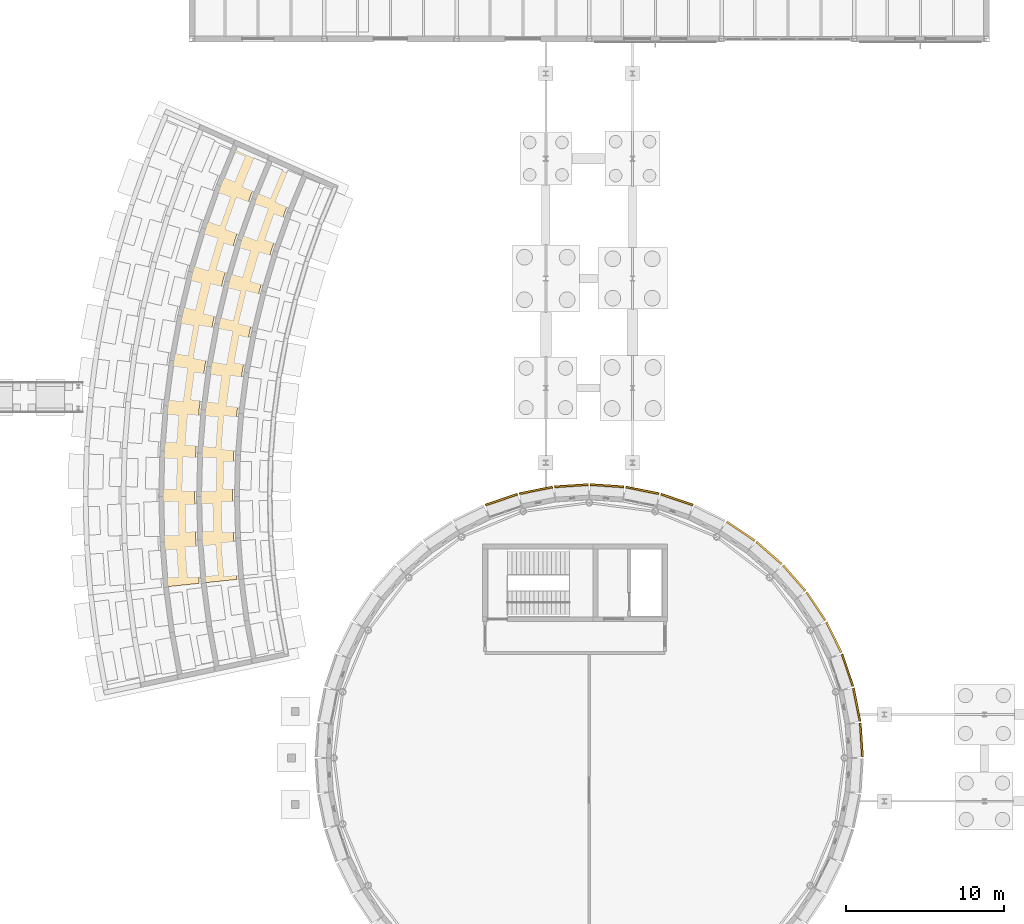
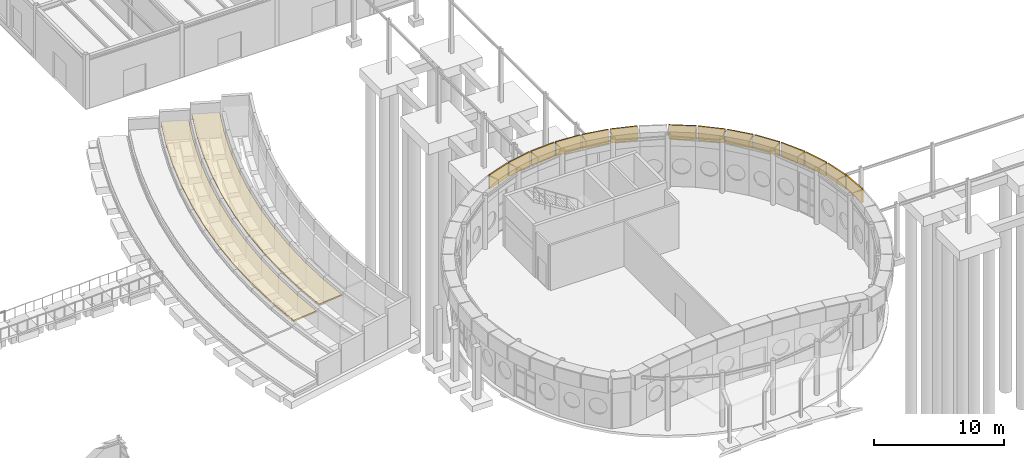
# One storey, part 99 of 109: 16 coverings.
"""IFC4 building model written with IfcOpenShell, lengths in metres."""

from ifc_helpers import new_model, si_unit, direction, frame, origin, place, context, subcontext, project, spatial, polyline, outline, extrude, material, layer, layer_set, type_object, element, save


model = new_model("IFC4")

# Units and contexts
model_context = context("Model", 3, precision=1e-05, world=origin(), true_north=direction((0.0, 1.0)))
body_context = subcontext(model_context, "Body", "Model", "MODEL_VIEW")
ifc_project = project(units=[si_unit("LENGTHUNIT", "METRE"), si_unit("AREAUNIT", "SQUARE_METRE"), si_unit("VOLUMEUNIT", "CUBIC_METRE"), si_unit("PLANEANGLEUNIT", "RADIAN"), si_unit("MASSUNIT", "GRAM", prefix="KILO")], contexts=[model_context])

# Site, building, storey
site_placement = place(None, origin())
site = spatial("IfcSite", under=ifc_project, at=site_placement, CompositionType="ELEMENT")
building_placement = place(site_placement, origin())
building = spatial("IfcBuilding", under=site, at=building_placement, Name="Montecoro Central Library", CompositionType="ELEMENT")
storey_placement = place(building_placement, origin())
storey = spatial("IfcBuildingStorey", under=building, at=storey_placement, Name="L00", CompositionType="ELEMENT", Elevation=0.0)

# Coverings
ifc_material_1 = material(Name="Botanical green planted garden soil COV-GRN-120")
ifc_layer_1 = layer(ifc_material_1, 0.1201171875)
ifc_layer_set_1 = layer_set([ifc_layer_1], Name="Botanical green planted garden soil COV-GRN-120")
covering_type_1 = type_object("IfcCoveringType", Name="COV-GRN-120", PredefinedType="FLOORING", material=ifc_layer_set_1)
covering_1_placement = place(storey_placement, frame((0.0, 0.0, 1.6201171875)))
element("IfcCovering", 1, at=covering_1_placement, inside=storey, type_object=covering_type_1, Name="Botanical Planted Terrace Bed 3", PredefinedType="FLOORING", context=body_context, shape_type="SweptSolid", body=[
    extrude(outline(polyline([(71.155029296875, 73.52490234375), (70.094970703125, 70.965087890625), (69.169921875, 68.35302734375), (68.383056640625, 65.697021484375), (67.736083984375, 63.0029296875), (67.23193359375, 60.279052734375), (66.8701171875, 57.531982421875), (66.653076171875, 54.77001953125), (66.580078125, 52.0), (66.653076171875, 49.22998046875), (66.8701171875, 46.468017578125), (64.721923828125, 46.242919921875), (64.4951171875, 49.116943359375), (64.419921875, 52.0), (64.4951171875, 54.883056640625), (64.721923828125, 57.757080078125), (65.097900390625, 60.615966796875), (65.6240234375, 63.451904296875), (66.297119140625, 66.256103515625), (67.115966796875, 69.02099609375), (68.077880859375, 71.739013671875), (69.181884765625, 74.403076171875), (71.155029296875, 73.52490234375)])), origin(), (0.0, 0.0, 1.0), 0.119873046875),
])
covering_2_placement = place(storey_placement, frame((0.0, 0.0, 2.159912109375)))
element("IfcCovering", 2, at=covering_2_placement, inside=storey, type_object=covering_type_1, Name="Botanical Planted Terrace Bed 4", PredefinedType="FLOORING", context=body_context, shape_type="SweptSolid", body=[
    extrude(outline(polyline([(73.347900390625, 72.548095703125), (72.3359375, 70.10498046875), (71.452880859375, 67.612060546875), (70.700927734375, 65.075927734375), (70.083984375, 62.50390625), (69.60205078125, 59.903076171875), (69.257080078125, 57.281005859375), (69.049072265625, 54.64404296875), (68.97998046875, 52.0), (69.049072265625, 49.35595703125), (69.257080078125, 46.718994140625), (67.10888671875, 46.492919921875), (66.89208984375, 49.242919921875), (66.820068359375, 52.0), (66.89208984375, 54.757080078125), (67.10888671875, 57.507080078125), (67.468994140625, 60.240966796875), (67.970947265625, 62.952880859375), (68.614990234375, 65.635009765625), (69.39794921875, 68.279052734375), (70.319091796875, 70.87890625), (71.3740234375, 73.427001953125), (73.347900390625, 72.548095703125)])), origin(), (0.0, 0.0, 1.0), 0.1201171875),
])
ifc_material_2 = material(Name="Bright white Roman travertine architrave stone", Category="masonry")
ifc_layer_2 = layer(ifc_material_2, 0.1201171875)
ifc_layer_set_2 = layer_set([ifc_layer_2], Name="Bright white Roman travertine architrave stone")
covering_type_2 = type_object("IfcCoveringType", Name="COV-TRV-BAND", PredefinedType="CLADDING", material=ifc_layer_set_2)
covering_3_placement = place(storey_placement, frame((0.0, 0.0, 3.800048828125)))
element("IfcCovering", 3, at=covering_3_placement, inside=storey, type_object=covering_type_2, Name="White Roman Travertine Entrance Notch Band Cladding", PredefinedType="CLADDING", context=body_context, shape_type="SweptSolid", body=[
    extrude(outline(polyline([(108.989990234375, 35.466064453125), (108.85009765625, 37.60400390625), (108.72998046875, 37.595947265625), (108.8701171875, 35.4580078125), (108.989990234375, 35.466064453125)])), origin(), (0.0, 0.0, 1.0), 1.300048828125),
])
covering_4_placement = place(storey_placement, frame((0.0, 0.0, 3.800048828125)))
element("IfcCovering", 4, at=covering_4_placement, inside=storey, type_object=covering_type_2, Name="White Roman Travertine Entrance Notch Band Cladding", PredefinedType="CLADDING", context=body_context, shape_type="SweptSolid", body=[
    extrude(outline(polyline([(108.8330078125, 37.735107421875), (108.4150390625, 39.8369140625), (108.297119140625, 39.81298828125), (108.715087890625, 37.7109375), (108.8330078125, 37.735107421875)])), origin(), (0.0, 0.0, 1.0), 1.300048828125),
])
covering_5_placement = place(storey_placement, frame((0.0, 0.0, 3.800048828125)))
element("IfcCovering", 5, at=covering_5_placement, inside=storey, type_object=covering_type_2, Name="White Roman Travertine Entrance Notch Band Cladding", PredefinedType="CLADDING", context=body_context, shape_type="SweptSolid", body=[
    extrude(outline(polyline([(108.3798828125, 39.966064453125), (107.69091796875, 41.993896484375), (107.577880859375, 41.9560546875), (108.26708984375, 39.927978515625), (108.3798828125, 39.966064453125)])), origin(), (0.0, 0.0, 1.0), 1.300048828125),
])
covering_6_placement = place(storey_placement, frame((0.0, 0.0, 3.800048828125)))
element("IfcCovering", 6, at=covering_6_placement, inside=storey, type_object=covering_type_2, Name="White Roman Travertine Entrance Notch Band Cladding", PredefinedType="CLADDING", context=body_context, shape_type="SweptSolid", body=[
    extrude(outline(polyline([(107.64208984375, 42.114990234375), (106.694091796875, 44.0380859375), (106.5859375, 43.985107421875), (107.533935546875, 42.06201171875), (107.64208984375, 42.114990234375)])), origin(), (0.0, 0.0, 1.0), 1.300048828125),
])
covering_7_placement = place(storey_placement, frame((0.0, 0.0, 3.800048828125)))
element("IfcCovering", 7, at=covering_7_placement, inside=storey, type_object=covering_type_2, Name="White Roman Travertine Entrance Notch Band Cladding", PredefinedType="CLADDING", context=body_context, shape_type="SweptSolid", body=[
    extrude(outline(polyline([(106.626953125, 44.152099609375), (105.43701171875, 45.93408203125), (105.3369140625, 45.867919921875), (106.527099609375, 44.0859375), (106.626953125, 44.152099609375)])), origin(), (0.0, 0.0, 1.0), 1.300048828125),
])
covering_8_placement = place(storey_placement, frame((0.0, 0.0, 3.800048828125)))
element("IfcCovering", 8, at=covering_8_placement, inside=storey, type_object=covering_type_2, Name="White Roman Travertine Entrance Notch Band Cladding", PredefinedType="CLADDING", context=body_context, shape_type="SweptSolid", body=[
    extrude(outline(polyline([(105.35595703125, 46.0390625), (103.944091796875, 47.64990234375), (103.85400390625, 47.571044921875), (105.26611328125, 45.9599609375), (105.35595703125, 46.0390625)])), origin(), (0.0, 0.0, 1.0), 1.300048828125),
])
covering_9_placement = place(storey_placement, frame((0.0, 0.0, 3.800048828125)))
element("IfcCovering", 9, at=covering_9_placement, inside=storey, type_object=covering_type_2, Name="White Roman Travertine Entrance Notch Band Cladding", PredefinedType="CLADDING", context=body_context, shape_type="SweptSolid", body=[
    extrude(outline(polyline([(103.85009765625, 47.743896484375), (102.239013671875, 49.156005859375), (102.159912109375, 49.06591796875), (103.77099609375, 47.654052734375), (103.85009765625, 47.743896484375)])), origin(), (0.0, 0.0, 1.0), 1.300048828125),
])
covering_10_placement = place(storey_placement, frame((0.0, 0.0, 3.800048828125)))
element("IfcCovering", 10, at=covering_10_placement, inside=storey, type_object=covering_type_2, Name="White Roman Travertine Entrance Notch Band Cladding", PredefinedType="CLADDING", context=body_context, shape_type="SweptSolid", body=[
    extrude(outline(polyline([(102.134033203125, 49.237060546875), (100.35205078125, 50.427001953125), (100.285888671875, 50.326904296875), (102.068115234375, 49.136962890625), (102.134033203125, 49.237060546875)])), origin(), (0.0, 0.0, 1.0), 1.300048828125),
])
covering_11_placement = place(storey_placement, frame((0.0, 0.0, 3.800048828125)))
element("IfcCovering", 11, at=covering_11_placement, inside=storey, type_object=covering_type_2, Name="White Roman Travertine Entrance Notch Band Cladding", PredefinedType="CLADDING", context=body_context, shape_type="SweptSolid", body=[
    extrude(outline(polyline([(98.193115234375, 51.490966796875), (96.1650390625, 52.179931640625), (96.126953125, 52.06689453125), (98.155029296875, 51.3779296875), (98.193115234375, 51.490966796875)])), origin(), (0.0, 0.0, 1.0), 1.300048828125),
])
covering_12_placement = place(storey_placement, frame((0.0, 0.0, 3.800048828125)))
element("IfcCovering", 12, at=covering_12_placement, inside=storey, type_object=covering_type_2, Name="White Roman Travertine Entrance Notch Band Cladding", PredefinedType="CLADDING", context=body_context, shape_type="SweptSolid", body=[
    extrude(outline(polyline([(96.0380859375, 52.215087890625), (93.93603515625, 52.633056640625), (93.912109375, 52.514892578125), (96.013916015625, 52.096923828125), (96.0380859375, 52.215087890625)])), origin(), (0.0, 0.0, 1.0), 1.300048828125),
])
covering_13_placement = place(storey_placement, frame((0.0, 0.0, 3.800048828125)))
element("IfcCovering", 13, at=covering_13_placement, inside=storey, type_object=covering_type_2, Name="White Roman Travertine Entrance Notch Band Cladding", PredefinedType="CLADDING", context=body_context, shape_type="SweptSolid", body=[
    extrude(outline(polyline([(93.803955078125, 52.64990234375), (91.666015625, 52.7900390625), (91.657958984375, 52.669921875), (93.7958984375, 52.530029296875), (93.803955078125, 52.64990234375)])), origin(), (0.0, 0.0, 1.0), 1.300048828125),
])
covering_14_placement = place(storey_placement, frame((0.0, 0.0, 3.800048828125)))
element("IfcCovering", 14, at=covering_14_placement, inside=storey, type_object=covering_type_2, Name="White Roman Travertine Entrance Notch Band Cladding", PredefinedType="CLADDING", context=body_context, shape_type="SweptSolid", body=[
    extrude(outline(polyline([(91.533935546875, 52.7900390625), (89.39599609375, 52.64990234375), (89.404052734375, 52.530029296875), (91.5419921875, 52.669921875), (91.533935546875, 52.7900390625)])), origin(), (0.0, 0.0, 1.0), 1.300048828125),
])
covering_15_placement = place(storey_placement, frame((0.0, 0.0, 3.800048828125)))
element("IfcCovering", 15, at=covering_15_placement, inside=storey, type_object=covering_type_2, Name="White Roman Travertine Entrance Notch Band Cladding", PredefinedType="CLADDING", context=body_context, shape_type="SweptSolid", body=[
    extrude(outline(polyline([(89.264892578125, 52.633056640625), (87.1630859375, 52.215087890625), (87.18701171875, 52.096923828125), (89.2890625, 52.514892578125), (89.264892578125, 52.633056640625)])), origin(), (0.0, 0.0, 1.0), 1.300048828125),
])
covering_16_placement = place(storey_placement, frame((0.0, 0.0, 3.800048828125)))
element("IfcCovering", 16, at=covering_16_placement, inside=storey, type_object=covering_type_2, Name="White Roman Travertine Entrance Notch Band Cladding", PredefinedType="CLADDING", context=body_context, shape_type="SweptSolid", body=[
    extrude(outline(polyline([(87.033935546875, 52.179931640625), (85.006103515625, 51.490966796875), (85.0439453125, 51.3779296875), (87.072021484375, 52.06689453125), (87.033935546875, 52.179931640625)])), origin(), (0.0, 0.0, 1.0), 1.300048828125),
])

save(model, "model.ifc")
